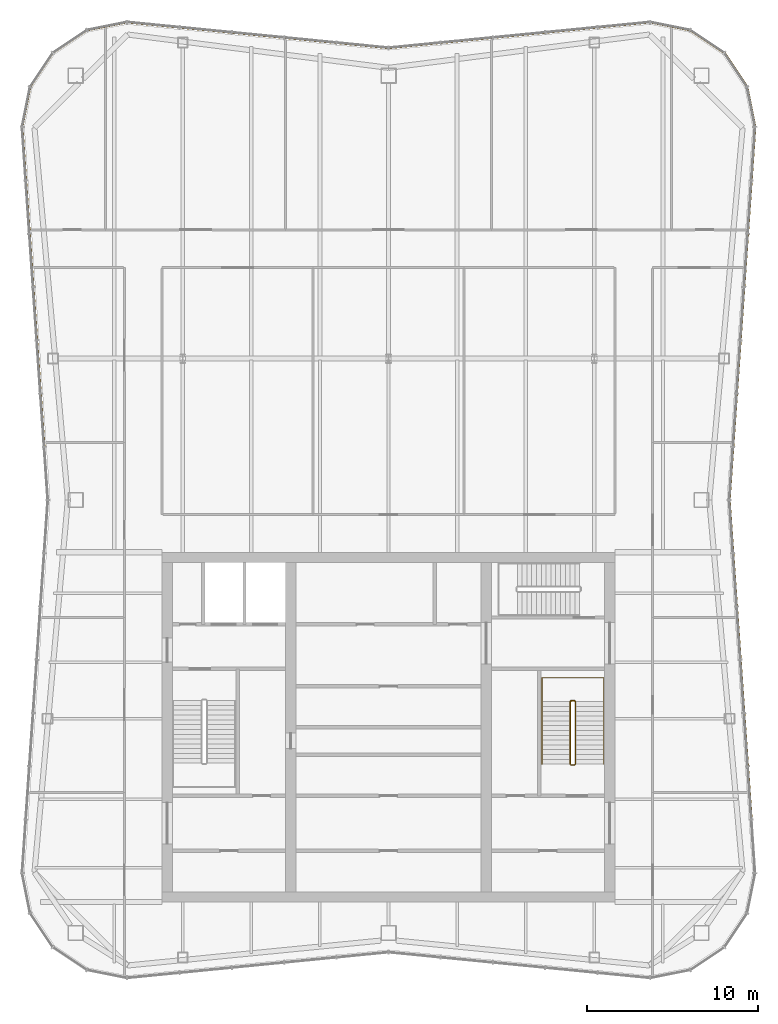
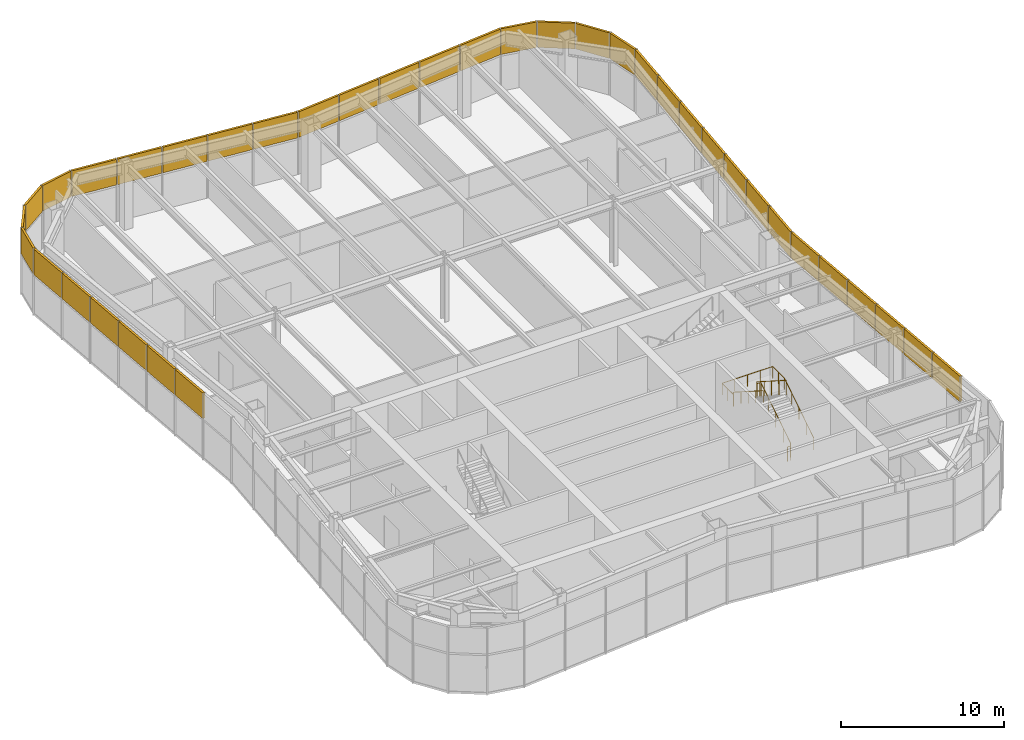
# One storey, part 13 of 13: 37 shading devices, 2 railings, 5 elements without a shape of their own.
"""IFC4 building model written with IfcOpenShell, lengths in metres."""

from ifc_helpers import new_model, si_unit, direction, frame, origin, origin_2d, place, context, subcontext, project, spatial, rectangle, circle, extrude, material, layer, layer_set, type_object, element, aggregate, save


model = new_model("IFC4")

# Units and contexts
model_context = context("Model", 3, precision=1e-05, world=origin(), true_north=direction((0.0, 1.0)))
body_context = subcontext(model_context, "Body", "Model", "MODEL_VIEW")
ifc_project = project(units=[si_unit("LENGTHUNIT", "METRE"), si_unit("AREAUNIT", "SQUARE_METRE"), si_unit("VOLUMEUNIT", "CUBIC_METRE"), si_unit("PLANEANGLEUNIT", "RADIAN"), si_unit("MASSUNIT", "GRAM", prefix="KILO")], contexts=[model_context])

# Site, building, storey
site_placement = place(None, origin())
site = spatial("IfcSite", under=ifc_project, at=site_placement, CompositionType="ELEMENT")
building_placement = place(site_placement, origin())
building = spatial("IfcBuilding", under=site, at=building_placement, Name="Verdant Reach Tower", CompositionType="ELEMENT")
storey_placement = place(building_placement, frame((0.0, 0.0, 349.5)))
storey = spatial("IfcBuildingStorey", under=building, at=storey_placement, Name="L79 Plant", CompositionType="ELEMENT", Elevation=349.5)

# Railings
ifc_material_1 = material(Name="Stainless steel", Category="steel")
railing_type_1 = type_object("IfcRailingType", Name="CO-GUARD", PredefinedType="GUARDRAIL", material=ifc_material_1)
railing_1_placement = place(storey_placement, frame((10.64990234375, 25.800048828125, 0.0)))
element("IfcRailing", 1, at=railing_1_placement, inside=storey, type_object=railing_type_1, Name="L79 Plant ST-2 stair guard 1", PredefinedType="GUARDRAIL", context=body_context, shape_type="SweptSolid", body=[
    extrude(circle(Radius=0.02392578125, at=origin_2d()), frame((0.0, 0.0, 1.076171875), z_axis=(1.0, 0.0, 0.0), x_axis=(0.0, 1.0, 0.0)), (0.0, 0.0, 1.0), 0.2001953125),
    extrude(circle(Radius=0.02392578125, at=origin_2d()), frame((0.2001953125, 0.0, 1.076171875), z_axis=(0.25949872427, 0.26077077684, 0.929870428634), x_axis=(-0.708833529934, 0.705375805398, 0.0)), (0.0, 0.0, 1.0), 0.19189453125),
    extrude(circle(Radius=0.02392578125, at=origin_2d()), frame((0.25, 0.050048828125, 1.25439453125), z_axis=(0.0, 0.843111507901, 0.53773877045), x_axis=(-1.0, 0.0, 0.0)), (0.0, 0.0, 1.0), 4.317138671875),
    extrude(circle(Radius=0.02392578125, at=origin_2d()), frame((0.25, 3.68994140625, 3.576171875), z_axis=(-0.705375805398, 0.708833529934, 0.0), x_axis=(-0.708833529934, -0.705375805398, 0.0)), (0.0, 0.0, 1.0), 0.070556640625),
    extrude(circle(Radius=0.02392578125, at=origin_2d()), frame((0.2001953125, 3.739990234375, 3.576171875), z_axis=(-1.0, 0.0, 0.0), x_axis=(0.0, -1.0, 0.0)), (0.0, 0.0, 1.0), 0.2001953125),
    extrude(circle(Radius=0.02392578125, at=origin_2d()), frame((0.0, 3.739990234375, 3.576171875), z_axis=(-0.25949872427, -0.26077077684, 0.929870428634), x_axis=(0.708833529934, -0.705375805398, 0.0)), (0.0, 0.0, 1.0), 0.19189453125),
    extrude(circle(Radius=0.02392578125, at=origin_2d()), frame((-0.0498046875, 3.68994140625, 3.75439453125), z_axis=(0.0, -0.843111507901, 0.53773877045), x_axis=(1.0, 0.0, 0.0)), (0.0, 0.0, 1.0), 4.317138671875),
    extrude(circle(Radius=0.02099609375, at=origin_2d()), origin(), (0.0, 0.0, 1.0), 1.052001953125),
    extrude(circle(Radius=0.02099609375, at=origin_2d()), frame((0.2001953125, 0.0, 0.0)), (0.0, 0.0, 1.0), 1.052001953125),
    extrude(circle(Radius=0.02099609375, at=origin_2d()), frame((0.25, 0.050048828125, 0.178466796875)), (0.0, 0.0, 1.0), 1.052001953125),
    extrude(circle(Radius=0.02099609375, at=origin_2d()), frame((0.25, 0.9599609375, 0.7587890625)), (0.0, 0.0, 1.0), 1.052001953125),
    extrude(circle(Radius=0.02099609375, at=origin_2d()), frame((0.25, 1.8701171875, 1.33935546875)), (0.0, 0.0, 1.0), 1.052001953125),
    extrude(circle(Radius=0.02099609375, at=origin_2d()), frame((0.25, 2.780029296875, 1.919677734375)), (0.0, 0.0, 1.0), 1.052001953125),
    extrude(circle(Radius=0.02099609375, at=origin_2d()), frame((0.25, 3.68994140625, 2.5)), (0.0, 0.0, 1.0), 1.052001953125),
    extrude(circle(Radius=0.02099609375, at=origin_2d()), frame((0.2001953125, 3.739990234375, 2.5)), (0.0, 0.0, 1.0), 1.052001953125),
    extrude(circle(Radius=0.02099609375, at=origin_2d()), frame((0.0, 3.739990234375, 2.5)), (0.0, 0.0, 1.0), 1.052001953125),
    extrude(circle(Radius=0.02099609375, at=origin_2d()), frame((-0.0498046875, 3.68994140625, 2.678466796875)), (0.0, 0.0, 1.0), 1.052001953125),
    extrude(circle(Radius=0.02099609375, at=origin_2d()), frame((-0.0498046875, 2.780029296875, 3.2587890625)), (0.0, 0.0, 1.0), 1.052001953125),
    extrude(circle(Radius=0.02099609375, at=origin_2d()), frame((-0.0498046875, 1.8701171875, 3.83935546875)), (0.0, 0.0, 1.0), 1.052001953125),
    extrude(circle(Radius=0.02099609375, at=origin_2d()), frame((-0.0498046875, 0.9599609375, 4.419677734375)), (0.0, 0.0, 1.0), 1.052001953125),
    extrude(circle(Radius=0.02099609375, at=origin_2d()), frame((-0.0498046875, 0.050048828125, 5.0)), (0.0, 0.0, 1.0), 1.052001953125),
])
railing_type_2 = type_object("IfcRailingType", Name="CO-HANDRAIL", PredefinedType="HANDRAIL", material=ifc_material_1)
railing_2_placement = place(storey_placement, frame((12.550048828125, 25.85009765625, 0.178466796875)))
element("IfcRailing", 2, at=railing_2_placement, inside=storey, type_object=railing_type_2, Name="L79 Plant ST-2 stair handrail 1", PredefinedType="HANDRAIL", context=body_context, shape_type="SweptSolid", body=[
    extrude(circle(Radius=0.02392578125, at=origin_2d()), frame((0.0, 0.0, 0.8759765625), z_axis=(0.0, 0.843111507901, 0.53773877045), x_axis=(-1.0, 0.0, 0.0)), (0.0, 0.0, 1.0), 4.317138671875),
    extrude(circle(Radius=0.02392578125, at=origin_2d()), frame((0.0, 3.639892578125, 3.197265625), z_axis=(0.0, 1.0, 0.0), x_axis=(-1.0, 0.0, 0.0)), (0.0, 0.0, 1.0), 1.39990234375),
    extrude(circle(Radius=0.02392578125, at=origin_2d()), frame((0.0, 5.039794921875, 3.197265625), z_axis=(-1.0, 0.0, 0.0), x_axis=(0.0, -1.0, 0.0)), (0.0, 0.0, 1.0), 3.60009765625),
    extrude(circle(Radius=0.02392578125, at=origin_2d()), frame((-3.60009765625, 5.039794921875, 3.197265625), z_axis=(0.0, -1.0, 0.0), x_axis=(1.0, 0.0, 0.0)), (0.0, 0.0, 1.0), 1.39990234375),
    extrude(circle(Radius=0.02392578125, at=origin_2d()), frame((-3.60009765625, 3.639892578125, 3.197265625), z_axis=(0.0, 0.0, 1.0), x_axis=(1.0, 0.0, 0.0)), (0.0, 0.0, 1.0), 0.178466796875),
    extrude(circle(Radius=0.02392578125, at=origin_2d()), frame((-3.60009765625, 3.639892578125, 3.3759765625), z_axis=(0.0, -0.843111507901, 0.53773877045), x_axis=(1.0, 0.0, 0.0)), (0.0, 0.0, 1.0), 4.317138671875),
    extrude(circle(Radius=0.02099609375, at=origin_2d()), origin(), (0.0, 0.0, 1.0), 0.851806640625),
    extrude(circle(Radius=0.02099609375, at=origin_2d()), frame((0.0, 0.909912109375, 0.580322265625)), (0.0, 0.0, 1.0), 0.851806640625),
    extrude(circle(Radius=0.02099609375, at=origin_2d()), frame((0.0, 1.81982421875, 1.16064453125)), (0.0, 0.0, 1.0), 0.851806640625),
    extrude(circle(Radius=0.02099609375, at=origin_2d()), frame((0.0, 2.72998046875, 1.7412109375)), (0.0, 0.0, 1.0), 0.851806640625),
    extrude(circle(Radius=0.02099609375, at=origin_2d()), frame((0.0, 3.639892578125, 2.321533203125)), (0.0, 0.0, 1.0), 0.851806640625),
    extrude(circle(Radius=0.02099609375, at=origin_2d()), frame((0.0, 4.33984375, 2.321533203125)), (0.0, 0.0, 1.0), 0.851806640625),
    extrude(circle(Radius=0.02099609375, at=origin_2d()), frame((0.0, 5.039794921875, 2.321533203125)), (0.0, 0.0, 1.0), 0.851806640625),
    extrude(circle(Radius=0.02099609375, at=origin_2d()), frame((-0.89990234375, 5.039794921875, 2.321533203125)), (0.0, 0.0, 1.0), 0.851806640625),
    extrude(circle(Radius=0.02099609375, at=origin_2d()), frame((-1.800048828125, 5.039794921875, 2.321533203125)), (0.0, 0.0, 1.0), 0.851806640625),
    extrude(circle(Radius=0.02099609375, at=origin_2d()), frame((-2.7001953125, 5.039794921875, 2.321533203125)), (0.0, 0.0, 1.0), 0.851806640625),
    extrude(circle(Radius=0.02099609375, at=origin_2d()), frame((-3.60009765625, 5.039794921875, 2.321533203125)), (0.0, 0.0, 1.0), 0.851806640625),
    extrude(circle(Radius=0.02099609375, at=origin_2d()), frame((-3.60009765625, 4.33984375, 2.321533203125)), (0.0, 0.0, 1.0), 0.851806640625),
    extrude(circle(Radius=0.02099609375, at=origin_2d()), frame((-3.60009765625, 3.639892578125, 2.321533203125)), (0.0, 0.0, 1.0), 0.851806640625),
    extrude(circle(Radius=0.02099609375, at=origin_2d()), frame((-3.60009765625, 3.639892578125, 2.5)), (0.0, 0.0, 1.0), 0.851806640625),
    extrude(circle(Radius=0.02099609375, at=origin_2d()), frame((-3.60009765625, 2.72998046875, 3.080322265625)), (0.0, 0.0, 1.0), 0.851806640625),
    extrude(circle(Radius=0.02099609375, at=origin_2d()), frame((-3.60009765625, 1.81982421875, 3.66064453125)), (0.0, 0.0, 1.0), 0.851806640625),
    extrude(circle(Radius=0.02099609375, at=origin_2d()), frame((-3.60009765625, 0.909912109375, 4.2412109375)), (0.0, 0.0, 1.0), 0.851806640625),
    extrude(circle(Radius=0.02099609375, at=origin_2d()), frame((-3.60009765625, 0.0, 4.821533203125)), (0.0, 0.0, 1.0), 0.851806640625),
])

# Curtain wall, shading devices
ifc_material_2 = material(Name="Anodised aluminium", Category="aluminium")
curtain_wall_type = type_object("IfcCurtainWallType", Name="EN-CW SYSTEM PLANT", PredefinedType="NOTDEFINED", material=ifc_material_2)
curtain_wall_1_placement = place(storey_placement, origin())
curtain_wall_1 = element("IfcCurtainWall", 3, at=curtain_wall_1_placement, inside=storey, type_object=curtain_wall_type, Name="Curtain wall east, L79", PredefinedType="NOTDEFINED")
ifc_material_3 = material(Name="Bronze anodised aluminium louvre", Category="aluminium")
ifc_layer = layer(ifc_material_3, 0.14990234375)
ifc_layer_set = layer_set([ifc_layer], Name="EN-LOUVRE")
shading_device_type = type_object("IfcShadingDeviceType", Name="EN-LOUVRE", PredefinedType="USERDEFINED", material=ifc_layer_set)
shading_device_1_placement = place(storey_placement, frame((21.04736328125, 24.1689453125, 2.72509765625), z_axis=(0.0, 0.0, 1.0), x_axis=(-0.068802091615, 0.997630328423, 0.0)))
shading_device_1 = element("IfcShadingDevice", 4, at=shading_device_1_placement, type_object=shading_device_type, Name="Louvre bank east face part 1 2, L79", ObjectType="LOUVRE", PredefinedType="USERDEFINED", context=body_context, shape_type="SweptSolid", body=[
    extrude(rectangle(XDim=3.03857421875, YDim=0.14990234375, at=origin_2d()), origin(), (0.0, 0.0, 1.0), 1.925048828125),
])
shading_device_2_placement = place(storey_placement, frame((20.8330078125, 27.276123046875, 2.72509765625), z_axis=(0.0, 0.0, 1.0), x_axis=(-0.068802091615, 0.997630328423, 0.0)))
shading_device_2 = element("IfcShadingDevice", 5, at=shading_device_2_placement, type_object=shading_device_type, Name="Louvre bank east face part 1 3, L79", ObjectType="LOUVRE", PredefinedType="USERDEFINED", context=body_context, shape_type="SweptSolid", body=[
    extrude(rectangle(XDim=3.03857421875, YDim=0.14990234375, at=origin_2d()), origin(), (0.0, 0.0, 1.0), 1.925048828125),
])
shading_device_3_placement = place(storey_placement, frame((20.61865234375, 30.38330078125, 2.72509765625), z_axis=(0.0, 0.0, 1.0), x_axis=(-0.068802091615, 0.997630328423, 0.0)))
shading_device_3 = element("IfcShadingDevice", 6, at=shading_device_3_placement, type_object=shading_device_type, Name="Louvre bank east face part 1 4, L79", ObjectType="LOUVRE", PredefinedType="USERDEFINED", context=body_context, shape_type="SweptSolid", body=[
    extrude(rectangle(XDim=3.03857421875, YDim=0.14990234375, at=origin_2d()), origin(), (0.0, 0.0, 1.0), 1.925048828125),
])
shading_device_4_placement = place(storey_placement, frame((20.404541015625, 33.490234375, 2.72509765625), z_axis=(0.0, 0.0, 1.0), x_axis=(-0.068802091615, 0.997630328423, 0.0)))
shading_device_4 = element("IfcShadingDevice", 7, at=shading_device_4_placement, type_object=shading_device_type, Name="Louvre bank east face part 1 5, L79", ObjectType="LOUVRE", PredefinedType="USERDEFINED", context=body_context, shape_type="SweptSolid", body=[
    extrude(rectangle(XDim=3.03857421875, YDim=0.14990234375, at=origin_2d()), origin(), (0.0, 0.0, 1.0), 1.925048828125),
])
shading_device_5_placement = place(storey_placement, frame((20.190185546875, 36.597412109375, 2.72509765625), z_axis=(0.0, 0.0, 1.0), x_axis=(-0.068802091615, 0.997630328423, 0.0)))
shading_device_5 = element("IfcShadingDevice", 8, at=shading_device_5_placement, type_object=shading_device_type, Name="Louvre bank east face part 1 6, L79", ObjectType="LOUVRE", PredefinedType="USERDEFINED", context=body_context, shape_type="SweptSolid", body=[
    extrude(rectangle(XDim=3.03857421875, YDim=0.14990234375, at=origin_2d()), origin(), (0.0, 0.0, 1.0), 1.925048828125),
])
shading_device_6_placement = place(storey_placement, frame((19.97607421875, 39.700439453125, 2.72509765625), z_axis=(0.0, 0.0, 1.0), x_axis=(-0.068892655483, 0.997624078509, 0.0)))
shading_device_6 = element("IfcShadingDevice", 9, at=shading_device_6_placement, type_object=shading_device_type, Name="Louvre bank east face part 1 7, L79", ObjectType="LOUVRE", PredefinedType="USERDEFINED", context=body_context, shape_type="SweptSolid", body=[
    extrude(rectangle(XDim=3.0302734375, YDim=0.14990234375, at=origin_2d()), origin(), (0.0, 0.0, 1.0), 1.925048828125),
])
shading_device_7_placement = place(storey_placement, frame((19.97607421875, 42.799560546875, 2.72509765625), z_axis=(0.0, 0.0, 1.0), x_axis=(0.068892655483, 0.997624078509, 0.0)))
shading_device_7 = element("IfcShadingDevice", 10, at=shading_device_7_placement, type_object=shading_device_type, Name="Louvre bank east face part 2 1, L79", ObjectType="LOUVRE", PredefinedType="USERDEFINED", context=body_context, shape_type="SweptSolid", body=[
    extrude(rectangle(XDim=3.0302734375, YDim=0.14990234375, at=origin_2d()), origin(), (0.0, 0.0, 1.0), 1.925048828125),
])
shading_device_8_placement = place(storey_placement, frame((20.190185546875, 45.902587890625, 2.72509765625), z_axis=(0.0, 0.0, 1.0), x_axis=(0.068802091615, 0.997630328423, 0.0)))
shading_device_8 = element("IfcShadingDevice", 11, at=shading_device_8_placement, type_object=shading_device_type, Name="Louvre bank east face part 2 2, L79", ObjectType="LOUVRE", PredefinedType="USERDEFINED", context=body_context, shape_type="SweptSolid", body=[
    extrude(rectangle(XDim=3.03857421875, YDim=0.14990234375, at=origin_2d()), origin(), (0.0, 0.0, 1.0), 1.925048828125),
])
shading_device_9_placement = place(storey_placement, frame((20.404541015625, 49.009765625, 2.72509765625), z_axis=(0.0, 0.0, 1.0), x_axis=(0.068802091615, 0.997630328423, 0.0)))
shading_device_9 = element("IfcShadingDevice", 12, at=shading_device_9_placement, type_object=shading_device_type, Name="Louvre bank east face part 2 3, L79", ObjectType="LOUVRE", PredefinedType="USERDEFINED", context=body_context, shape_type="SweptSolid", body=[
    extrude(rectangle(XDim=3.03857421875, YDim=0.14990234375, at=origin_2d()), origin(), (0.0, 0.0, 1.0), 1.925048828125),
])
shading_device_10_placement = place(storey_placement, frame((20.61865234375, 52.11669921875, 2.72509765625), z_axis=(0.0, 0.0, 1.0), x_axis=(0.068802091615, 0.997630328423, 0.0)))
shading_device_10 = element("IfcShadingDevice", 13, at=shading_device_10_placement, type_object=shading_device_type, Name="Louvre bank east face part 2 4, L79", ObjectType="LOUVRE", PredefinedType="USERDEFINED", context=body_context, shape_type="SweptSolid", body=[
    extrude(rectangle(XDim=3.03857421875, YDim=0.14990234375, at=origin_2d()), origin(), (0.0, 0.0, 1.0), 1.925048828125),
])
shading_device_11_placement = place(storey_placement, frame((20.8330078125, 55.223876953125, 2.72509765625), z_axis=(0.0, 0.0, 1.0), x_axis=(0.068802091615, 0.997630328423, 0.0)))
shading_device_11 = element("IfcShadingDevice", 14, at=shading_device_11_placement, type_object=shading_device_type, Name="Louvre bank east face part 2 5, L79", ObjectType="LOUVRE", PredefinedType="USERDEFINED", context=body_context, shape_type="SweptSolid", body=[
    extrude(rectangle(XDim=3.03857421875, YDim=0.14990234375, at=origin_2d()), origin(), (0.0, 0.0, 1.0), 1.925048828125),
])
shading_device_12_placement = place(storey_placement, frame((21.04736328125, 58.3310546875, 2.72509765625), z_axis=(0.0, 0.0, 1.0), x_axis=(0.068802091615, 0.997630328423, 0.0)))
shading_device_12 = element("IfcShadingDevice", 15, at=shading_device_12_placement, type_object=shading_device_type, Name="Louvre bank east face part 2 6, L79", ObjectType="LOUVRE", PredefinedType="USERDEFINED", context=body_context, shape_type="SweptSolid", body=[
    extrude(rectangle(XDim=3.03857421875, YDim=0.14990234375, at=origin_2d()), origin(), (0.0, 0.0, 1.0), 1.925048828125),
])
shading_device_13_placement = place(storey_placement, frame((21.261474609375, 61.446044921875, 2.72509765625), z_axis=(0.0, 0.0, 1.0), x_axis=(0.068469163133, 0.997653233193, 0.0)))
shading_device_13 = element("IfcShadingDevice", 16, at=shading_device_13_placement, type_object=shading_device_type, Name="Louvre bank east face part 2 7, L79", ObjectType="LOUVRE", PredefinedType="USERDEFINED", context=body_context, shape_type="SweptSolid", body=[
    extrude(rectangle(XDim=3.05419921875, YDim=0.14990234375, at=origin_2d()), origin(), (0.0, 0.0, 1.0), 1.925048828125),
])
aggregate(curtain_wall_1, [shading_device_1, shading_device_2, shading_device_3, shading_device_4, shading_device_5, shading_device_6, shading_device_7, shading_device_8, shading_device_9, shading_device_10, shading_device_11, shading_device_12, shading_device_13])

curtain_wall_2_placement = place(storey_placement, origin())
curtain_wall_2 = element("IfcCurtainWall", 17, at=curtain_wall_2_placement, inside=storey, type_object=curtain_wall_type, Name="Curtain wall north-east corner, L79", PredefinedType="NOTDEFINED")
shading_device_14_placement = place(storey_placement, frame((21.135986328125, 64.174560546875, 2.72509765625), z_axis=(0.0, 0.0, 1.0), x_axis=(-0.195592962334, 0.980685165119, 0.0)))
shading_device_14 = element("IfcShadingDevice", 18, at=shading_device_14_placement, type_object=shading_device_type, Name="Louvre bank north-east corner 1, L79", ObjectType="LOUVRE", PredefinedType="USERDEFINED", context=body_context, shape_type="SweptSolid", body=[
    extrude(rectangle(XDim=2.303955078125, YDim=0.14990234375, at=origin_2d()), origin(), (0.0, 0.0, 1.0), 1.925048828125),
])
shading_device_15_placement = place(storey_placement, frame((20.239990234375, 66.334228515625, 2.72509765625), z_axis=(0.0, 0.0, 1.0), x_axis=(-0.555596466265, 0.83145208321, 0.0)))
shading_device_15 = element("IfcShadingDevice", 19, at=shading_device_15_placement, type_object=shading_device_type, Name="Louvre bank north-east corner 2, L79", ObjectType="LOUVRE", PredefinedType="USERDEFINED", context=body_context, shape_type="SweptSolid", body=[
    extrude(rectangle(XDim=2.3115234375, YDim=0.14990234375, at=origin_2d()), origin(), (0.0, 0.0, 1.0), 1.925048828125),
])
shading_device_16_placement = place(storey_placement, frame((18.584228515625, 67.989990234375, 2.72509765625), z_axis=(0.0, 0.0, 1.0), x_axis=(-0.83145208321, 0.555596466265, 0.0)))
shading_device_16 = element("IfcShadingDevice", 20, at=shading_device_16_placement, type_object=shading_device_type, Name="Louvre bank north-east corner 3, L79", ObjectType="LOUVRE", PredefinedType="USERDEFINED", context=body_context, shape_type="SweptSolid", body=[
    extrude(rectangle(XDim=2.3115234375, YDim=0.14990234375, at=origin_2d()), origin(), (0.0, 0.0, 1.0), 1.925048828125),
])
shading_device_17_placement = place(storey_placement, frame((16.423828125, 68.885986328125, 2.72509765625), z_axis=(0.0, 0.0, 1.0), x_axis=(-0.980705120874, 0.195492879387, 0.0)))
shading_device_17 = element("IfcShadingDevice", 21, at=shading_device_17_placement, type_object=shading_device_type, Name="Louvre bank north-east corner 4, L79", ObjectType="LOUVRE", PredefinedType="USERDEFINED", context=body_context, shape_type="SweptSolid", body=[
    extrude(rectangle(XDim=2.3056640625, YDim=0.14990234375, at=origin_2d()), origin(), (0.0, 0.0, 1.0), 1.925048828125),
])
aggregate(curtain_wall_2, [shading_device_14, shading_device_15, shading_device_16, shading_device_17])

curtain_wall_3_placement = place(storey_placement, origin())
curtain_wall_3 = element("IfcCurtainWall", 22, at=curtain_wall_3_placement, inside=storey, type_object=curtain_wall_type, Name="Curtain wall north, L79", PredefinedType="NOTDEFINED")
shading_device_18_placement = place(storey_placement, frame((13.72216796875, 68.96875, 2.72509765625), z_axis=(0.0, 0.0, 1.0), x_axis=(-0.995238191716, -0.097472774402, 0.0)))
shading_device_18 = element("IfcShadingDevice", 23, at=shading_device_18_placement, type_object=shading_device_type, Name="Louvre bank north face part 1 1, L79", ObjectType="LOUVRE", PredefinedType="USERDEFINED", context=body_context, shape_type="SweptSolid", body=[
    extrude(rectangle(XDim=3.006103515625, YDim=0.14990234375, at=origin_2d()), origin(), (0.0, 0.0, 1.0), 1.925048828125),
])
shading_device_19_placement = place(storey_placement, frame((10.663330078125, 68.66845703125, 2.72509765625), z_axis=(0.0, 0.0, 1.0), x_axis=(-0.995197410875, -0.09788826992, 0.0)))
shading_device_19 = element("IfcShadingDevice", 24, at=shading_device_19_placement, type_object=shading_device_type, Name="Louvre bank north face part 1 2, L79", ObjectType="LOUVRE", PredefinedType="USERDEFINED", context=body_context, shape_type="SweptSolid", body=[
    extrude(rectangle(XDim=2.98876953125, YDim=0.14990234375, at=origin_2d()), origin(), (0.0, 0.0, 1.0), 1.925048828125),
])
shading_device_20_placement = place(storey_placement, frame((7.61328125, 68.368408203125, 2.72509765625), z_axis=(0.0, 0.0, 1.0), x_axis=(-0.995197410875, -0.09788826992, 0.0)))
shading_device_20 = element("IfcShadingDevice", 25, at=shading_device_20_placement, type_object=shading_device_type, Name="Louvre bank north face part 1 3, L79", ObjectType="LOUVRE", PredefinedType="USERDEFINED", context=body_context, shape_type="SweptSolid", body=[
    extrude(rectangle(XDim=2.98876953125, YDim=0.14990234375, at=origin_2d()), origin(), (0.0, 0.0, 1.0), 1.925048828125),
])
shading_device_21_placement = place(storey_placement, frame((4.563232421875, 68.068359375, 2.72509765625), z_axis=(0.0, 0.0, 1.0), x_axis=(-0.995197410875, -0.09788826992, 0.0)))
shading_device_21 = element("IfcShadingDevice", 26, at=shading_device_21_placement, type_object=shading_device_type, Name="Louvre bank north face part 1 4, L79", ObjectType="LOUVRE", PredefinedType="USERDEFINED", context=body_context, shape_type="SweptSolid", body=[
    extrude(rectangle(XDim=2.98876953125, YDim=0.14990234375, at=origin_2d()), origin(), (0.0, 0.0, 1.0), 1.925048828125),
])
shading_device_22_placement = place(storey_placement, frame((1.519287109375, 67.768798828125, 2.72509765625), z_axis=(0.0, 0.0, 1.0), x_axis=(-0.995179069607, -0.098074560493, 0.0)))
shading_device_22 = element("IfcShadingDevice", 27, at=shading_device_22_placement, type_object=shading_device_type, Name="Louvre bank north face part 1 5, L79", ObjectType="LOUVRE", PredefinedType="USERDEFINED", context=body_context, shape_type="SweptSolid", body=[
    extrude(rectangle(XDim=2.97705078125, YDim=0.14990234375, at=origin_2d()), origin(), (0.0, 0.0, 1.0), 1.925048828125),
])
shading_device_23_placement = place(storey_placement, frame((-1.519287109375, 67.768798828125, 2.72509765625), z_axis=(0.0, 0.0, 1.0), x_axis=(-0.995179069607, 0.098074560493, 0.0)))
shading_device_23 = element("IfcShadingDevice", 28, at=shading_device_23_placement, type_object=shading_device_type, Name="Louvre bank north face part 2 1, L79", ObjectType="LOUVRE", PredefinedType="USERDEFINED", context=body_context, shape_type="SweptSolid", body=[
    extrude(rectangle(XDim=2.97705078125, YDim=0.14990234375, at=origin_2d()), origin(), (0.0, 0.0, 1.0), 1.925048828125),
])
shading_device_24_placement = place(storey_placement, frame((-4.563232421875, 68.068359375, 2.72509765625), z_axis=(0.0, 0.0, 1.0), x_axis=(-0.995197410875, 0.09788826992, 0.0)))
shading_device_24 = element("IfcShadingDevice", 29, at=shading_device_24_placement, type_object=shading_device_type, Name="Louvre bank north face part 2 2, L79", ObjectType="LOUVRE", PredefinedType="USERDEFINED", context=body_context, shape_type="SweptSolid", body=[
    extrude(rectangle(XDim=2.98876953125, YDim=0.14990234375, at=origin_2d()), origin(), (0.0, 0.0, 1.0), 1.925048828125),
])
shading_device_25_placement = place(storey_placement, frame((-7.61328125, 68.368408203125, 2.72509765625), z_axis=(0.0, 0.0, 1.0), x_axis=(-0.995197410875, 0.09788826992, 0.0)))
shading_device_25 = element("IfcShadingDevice", 30, at=shading_device_25_placement, type_object=shading_device_type, Name="Louvre bank north face part 2 3, L79", ObjectType="LOUVRE", PredefinedType="USERDEFINED", context=body_context, shape_type="SweptSolid", body=[
    extrude(rectangle(XDim=2.98876953125, YDim=0.14990234375, at=origin_2d()), origin(), (0.0, 0.0, 1.0), 1.925048828125),
])
shading_device_26_placement = place(storey_placement, frame((-10.663330078125, 68.66845703125, 2.72509765625), z_axis=(0.0, 0.0, 1.0), x_axis=(-0.995197410875, 0.09788826992, 0.0)))
shading_device_26 = element("IfcShadingDevice", 31, at=shading_device_26_placement, type_object=shading_device_type, Name="Louvre bank north face part 2 4, L79", ObjectType="LOUVRE", PredefinedType="USERDEFINED", context=body_context, shape_type="SweptSolid", body=[
    extrude(rectangle(XDim=2.98876953125, YDim=0.14990234375, at=origin_2d()), origin(), (0.0, 0.0, 1.0), 1.925048828125),
])
shading_device_27_placement = place(storey_placement, frame((-13.72216796875, 68.96875, 2.72509765625), z_axis=(0.0, 0.0, 1.0), x_axis=(-0.995238191716, 0.097472774402, 0.0)))
shading_device_27 = element("IfcShadingDevice", 32, at=shading_device_27_placement, type_object=shading_device_type, Name="Louvre bank north face part 2 5, L79", ObjectType="LOUVRE", PredefinedType="USERDEFINED", context=body_context, shape_type="SweptSolid", body=[
    extrude(rectangle(XDim=3.006103515625, YDim=0.14990234375, at=origin_2d()), origin(), (0.0, 0.0, 1.0), 1.925048828125),
])
aggregate(curtain_wall_3, [shading_device_18, shading_device_19, shading_device_20, shading_device_21, shading_device_22, shading_device_23, shading_device_24, shading_device_25, shading_device_26, shading_device_27])

curtain_wall_4_placement = place(storey_placement, origin())
curtain_wall_4 = element("IfcCurtainWall", 33, at=curtain_wall_4_placement, inside=storey, type_object=curtain_wall_type, Name="Curtain wall north-west corner, L79", PredefinedType="NOTDEFINED")
shading_device_28_placement = place(storey_placement, frame((-16.423828125, 68.885986328125, 2.72509765625), z_axis=(0.0, 0.0, 1.0), x_axis=(-0.980705120874, -0.195492879387, 0.0)))
shading_device_28 = element("IfcShadingDevice", 34, at=shading_device_28_placement, type_object=shading_device_type, Name="Louvre bank north-west corner 1, L79", ObjectType="LOUVRE", PredefinedType="USERDEFINED", context=body_context, shape_type="SweptSolid", body=[
    extrude(rectangle(XDim=2.3056640625, YDim=0.14990234375, at=origin_2d()), origin(), (0.0, 0.0, 1.0), 1.925048828125),
])
shading_device_29_placement = place(storey_placement, frame((-18.584228515625, 67.989990234375, 2.72509765625), z_axis=(0.0, 0.0, 1.0), x_axis=(-0.83145208321, -0.555596466265, 0.0)))
shading_device_29 = element("IfcShadingDevice", 35, at=shading_device_29_placement, type_object=shading_device_type, Name="Louvre bank north-west corner 2, L79", ObjectType="LOUVRE", PredefinedType="USERDEFINED", context=body_context, shape_type="SweptSolid", body=[
    extrude(rectangle(XDim=2.3115234375, YDim=0.14990234375, at=origin_2d()), origin(), (0.0, 0.0, 1.0), 1.925048828125),
])
shading_device_30_placement = place(storey_placement, frame((-20.239990234375, 66.334228515625, 2.72509765625), z_axis=(0.0, 0.0, 1.0), x_axis=(-0.555596466265, -0.83145208321, 0.0)))
shading_device_30 = element("IfcShadingDevice", 36, at=shading_device_30_placement, type_object=shading_device_type, Name="Louvre bank north-west corner 3, L79", ObjectType="LOUVRE", PredefinedType="USERDEFINED", context=body_context, shape_type="SweptSolid", body=[
    extrude(rectangle(XDim=2.3115234375, YDim=0.14990234375, at=origin_2d()), origin(), (0.0, 0.0, 1.0), 1.925048828125),
])
shading_device_31_placement = place(storey_placement, frame((-21.135986328125, 64.174560546875, 2.72509765625), z_axis=(0.0, 0.0, 1.0), x_axis=(-0.195592962334, -0.980685165119, 0.0)))
shading_device_31 = element("IfcShadingDevice", 37, at=shading_device_31_placement, type_object=shading_device_type, Name="Louvre bank north-west corner 4, L79", ObjectType="LOUVRE", PredefinedType="USERDEFINED", context=body_context, shape_type="SweptSolid", body=[
    extrude(rectangle(XDim=2.303955078125, YDim=0.14990234375, at=origin_2d()), origin(), (0.0, 0.0, 1.0), 1.925048828125),
])
aggregate(curtain_wall_4, [shading_device_28, shading_device_29, shading_device_30, shading_device_31])

curtain_wall_5_placement = place(storey_placement, origin())
curtain_wall_5 = element("IfcCurtainWall", 38, at=curtain_wall_5_placement, inside=storey, type_object=curtain_wall_type, Name="Curtain wall west, L79", PredefinedType="NOTDEFINED")
shading_device_32_placement = place(storey_placement, frame((-21.261474609375, 61.446044921875, 2.72509765625), z_axis=(0.0, 0.0, 1.0), x_axis=(0.068469163133, -0.997653233193, 0.0)))
shading_device_32 = element("IfcShadingDevice", 39, at=shading_device_32_placement, type_object=shading_device_type, Name="Louvre bank west face part 1 1, L79", ObjectType="LOUVRE", PredefinedType="USERDEFINED", context=body_context, shape_type="SweptSolid", body=[
    extrude(rectangle(XDim=3.05419921875, YDim=0.14990234375, at=origin_2d()), origin(), (0.0, 0.0, 1.0), 1.925048828125),
])
shading_device_33_placement = place(storey_placement, frame((-21.04736328125, 58.3310546875, 2.72509765625), z_axis=(0.0, 0.0, 1.0), x_axis=(0.068802091615, -0.997630328423, 0.0)))
shading_device_33 = element("IfcShadingDevice", 40, at=shading_device_33_placement, type_object=shading_device_type, Name="Louvre bank west face part 1 2, L79", ObjectType="LOUVRE", PredefinedType="USERDEFINED", context=body_context, shape_type="SweptSolid", body=[
    extrude(rectangle(XDim=3.03857421875, YDim=0.14990234375, at=origin_2d()), origin(), (0.0, 0.0, 1.0), 1.925048828125),
])
shading_device_34_placement = place(storey_placement, frame((-20.8330078125, 55.223876953125, 2.72509765625), z_axis=(0.0, 0.0, 1.0), x_axis=(0.068802091615, -0.997630328423, 0.0)))
shading_device_34 = element("IfcShadingDevice", 41, at=shading_device_34_placement, type_object=shading_device_type, Name="Louvre bank west face part 1 3, L79", ObjectType="LOUVRE", PredefinedType="USERDEFINED", context=body_context, shape_type="SweptSolid", body=[
    extrude(rectangle(XDim=3.03857421875, YDim=0.14990234375, at=origin_2d()), origin(), (0.0, 0.0, 1.0), 1.925048828125),
])
shading_device_35_placement = place(storey_placement, frame((-20.61865234375, 52.11669921875, 2.72509765625), z_axis=(0.0, 0.0, 1.0), x_axis=(0.068802091615, -0.997630328423, 0.0)))
shading_device_35 = element("IfcShadingDevice", 42, at=shading_device_35_placement, type_object=shading_device_type, Name="Louvre bank west face part 1 4, L79", ObjectType="LOUVRE", PredefinedType="USERDEFINED", context=body_context, shape_type="SweptSolid", body=[
    extrude(rectangle(XDim=3.03857421875, YDim=0.14990234375, at=origin_2d()), origin(), (0.0, 0.0, 1.0), 1.925048828125),
])
shading_device_36_placement = place(storey_placement, frame((-20.404541015625, 49.009765625, 2.72509765625), z_axis=(0.0, 0.0, 1.0), x_axis=(0.068802091615, -0.997630328423, 0.0)))
shading_device_36 = element("IfcShadingDevice", 43, at=shading_device_36_placement, type_object=shading_device_type, Name="Louvre bank west face part 1 5, L79", ObjectType="LOUVRE", PredefinedType="USERDEFINED", context=body_context, shape_type="SweptSolid", body=[
    extrude(rectangle(XDim=3.03857421875, YDim=0.14990234375, at=origin_2d()), origin(), (0.0, 0.0, 1.0), 1.925048828125),
])
shading_device_37_placement = place(storey_placement, frame((-20.190185546875, 45.902587890625, 2.72509765625), z_axis=(0.0, 0.0, 1.0), x_axis=(0.068802091615, -0.997630328423, 0.0)))
shading_device_37 = element("IfcShadingDevice", 44, at=shading_device_37_placement, type_object=shading_device_type, Name="Louvre bank west face part 1 6, L79", ObjectType="LOUVRE", PredefinedType="USERDEFINED", context=body_context, shape_type="SweptSolid", body=[
    extrude(rectangle(XDim=3.03857421875, YDim=0.14990234375, at=origin_2d()), origin(), (0.0, 0.0, 1.0), 1.925048828125),
])
aggregate(curtain_wall_5, [shading_device_32, shading_device_33, shading_device_34, shading_device_35, shading_device_36, shading_device_37])

save(model, "model.ifc")
